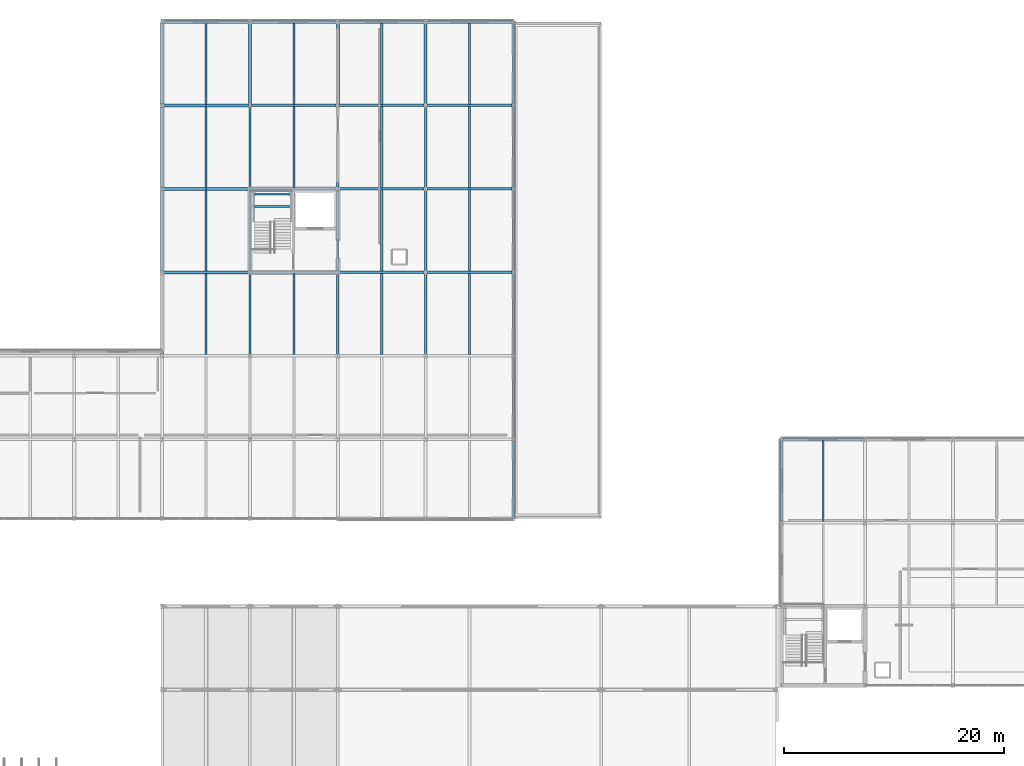
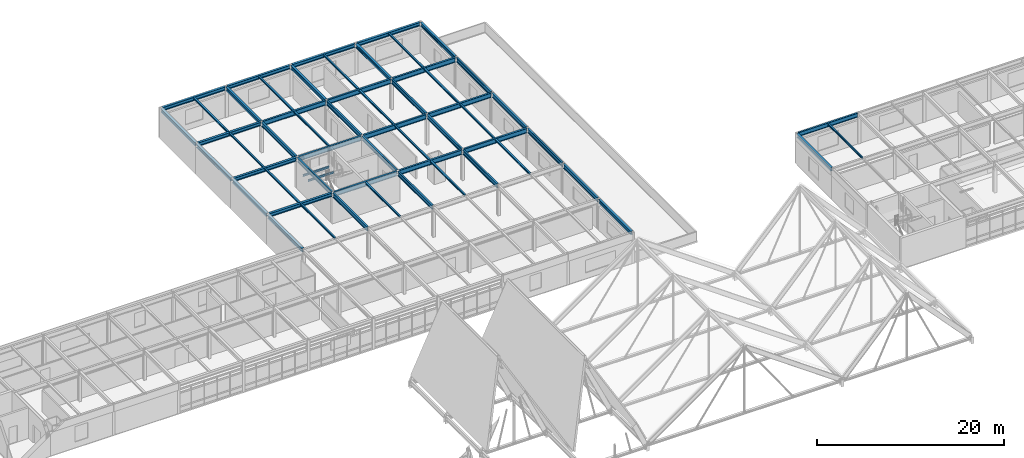
# One storey, part 48 of 85: 58 beams.
"""IFC4 building model written with IfcOpenShell, lengths in metres."""

from ifc_helpers import new_model, si_unit, direction, frame, origin, origin_2d, place, context, subcontext, project, spatial, i_section, extrude, material, material_profile, profile_set, type_object, element, save


model = new_model("IFC4")

# Units and contexts
model_context = context("Model", 3, precision=1e-05, world=origin(), true_north=direction((0.0, 1.0)))
body_context = subcontext(model_context, "Body", "Model", "MODEL_VIEW")
ifc_project = project(units=[si_unit("LENGTHUNIT", "METRE"), si_unit("AREAUNIT", "SQUARE_METRE"), si_unit("VOLUMEUNIT", "CUBIC_METRE"), si_unit("PLANEANGLEUNIT", "RADIAN"), si_unit("MASSUNIT", "GRAM", prefix="KILO")], contexts=[model_context])

# Site, building, storey
site_placement = place(None, origin())
site = spatial("IfcSite", under=ifc_project, at=site_placement, CompositionType="ELEMENT")
building_placement = place(site_placement, origin())
building = spatial("IfcBuilding", under=site, at=building_placement, Name="Zulena Civic Courthouse", CompositionType="ELEMENT")
storey_placement = place(building_placement, frame((0.0, 0.0, 25.199951171875)))
storey = spatial("IfcBuildingStorey", under=building, at=storey_placement, Name="L05", CompositionType="ELEMENT", Elevation=25.199951171875)

# Beams
ifc_material = material(Name="Steel ASTM A992 Grade 50", Category="steel")
ifc_material_profile_1 = material_profile(ifc_material, i_section(OverallWidth=0.214111328125, OverallDepth=0.549072265625, WebThickness=0.0146484375, FlangeThickness=0.023681640625, FilletRadius=0.0126953125, at=origin_2d()), Name="W21X93")
ifc_profile_set_1 = profile_set([ifc_material_profile_1], Name="Steel ASTM A992 Grade 50")
beam_type_1 = type_object("IfcBeamType", Name="Girder_W21X93", PredefinedType="BEAM", material=ifc_profile_set_1)
beam_1_placement = place(storey_placement, frame((76.0, 60.945068359375, 3.720458984375), z_axis=(0.0, 1.0, 0.0), x_axis=(-1.0, 0.0, 0.0)))
element("IfcBeam", 1, at=beam_1_placement, inside=storey, type_object=beam_type_1, Name="beam:Y:V5:L05:76.0:60.8_68.4", PredefinedType="BEAM", context=body_context, shape_type="SweptSolid", body=[
    extrude(i_section(OverallWidth=0.214111328125, OverallDepth=0.549072265625, WebThickness=0.0146484375, FlangeThickness=0.023681640625, FilletRadius=0.0126953125, at=origin_2d()), origin(), (0.0, 0.0, 1.0), 7.309814453125),
])
for number, where, z_axis, x_axis, name in (
    (2, (76.0, 68.544921875, 3.720458984375), (0.0, 1.0, 0.0), (-1.0, 0.0, 0.0), "beam:Y:V5:L05:76.0:68.4_76.0"),
    (3, (76.0, 76.14501953125, 3.720458984375), (0.0, 1.0, 0.0), (-1.0, 0.0, 0.0), "beam:Y:V5:L05:76.0:76.0_83.6"),
):
    element("IfcBeam", number, at=place(storey_placement, frame(where, z_axis=z_axis, x_axis=x_axis)), inside=storey, type_object=beam_type_1, Name=name, PredefinedType="BEAM", context=body_context, shape_type="SweptSolid", body=[
        extrude(i_section(OverallWidth=0.214111328125, OverallDepth=0.549072265625, WebThickness=0.0146484375, FlangeThickness=0.023681640625, FilletRadius=0.0126953125, at=origin_2d()), origin(), (0.0, 0.0, 1.0), 7.31005859375),
    ])
beam_2_placement = place(storey_placement, frame((84.0, 60.945068359375, 3.720458984375), z_axis=(0.0, 1.0, 0.0), x_axis=(-1.0, 0.0, 0.0)))
element("IfcBeam", 4, at=beam_2_placement, inside=storey, type_object=beam_type_1, Name="beam:Y:V5:L05:84.0:60.8_68.4", PredefinedType="BEAM", context=body_context, shape_type="SweptSolid", body=[
    extrude(i_section(OverallWidth=0.214111328125, OverallDepth=0.549072265625, WebThickness=0.0146484375, FlangeThickness=0.023681640625, FilletRadius=0.0126953125, at=origin_2d()), origin(), (0.0, 0.0, 1.0), 7.309814453125),
])
for number, where, z_axis, x_axis, name in (
    (5, (84.0, 68.544921875, 3.720458984375), (0.0, 1.0, 0.0), (-1.0, 0.0, 0.0), "beam:Y:V5:L05:84.0:68.4_76.0"),
    (6, (84.0, 76.14501953125, 3.720458984375), (0.0, 1.0, 0.0), (-1.0, 0.0, 0.0), "beam:Y:V5:L05:84.0:76.0_83.6"),
):
    element("IfcBeam", number, at=place(storey_placement, frame(where, z_axis=z_axis, x_axis=x_axis)), inside=storey, type_object=beam_type_1, Name=name, PredefinedType="BEAM", context=body_context, shape_type="SweptSolid", body=[
        extrude(i_section(OverallWidth=0.214111328125, OverallDepth=0.549072265625, WebThickness=0.0146484375, FlangeThickness=0.023681640625, FilletRadius=0.0126953125, at=origin_2d()), origin(), (0.0, 0.0, 1.0), 7.31005859375),
    ])
beam_3_placement = place(storey_placement, frame((92.0, 60.945068359375, 3.720458984375), z_axis=(0.0, 1.0, 0.0), x_axis=(-1.0, 0.0, 0.0)))
element("IfcBeam", 7, at=beam_3_placement, inside=storey, type_object=beam_type_1, Name="beam:Y:V5:L05:92.0:60.8_68.4", PredefinedType="BEAM", context=body_context, shape_type="SweptSolid", body=[
    extrude(i_section(OverallWidth=0.214111328125, OverallDepth=0.549072265625, WebThickness=0.0146484375, FlangeThickness=0.023681640625, FilletRadius=0.0126953125, at=origin_2d()), origin(), (0.0, 0.0, 1.0), 7.309814453125),
])
for number, where, z_axis, x_axis, name in (
    (8, (92.0, 68.544921875, 3.720458984375), (0.0, 1.0, 0.0), (-1.0, 0.0, 0.0), "beam:Y:V5:L05:92.0:68.4_76.0"),
    (9, (92.0, 76.14501953125, 3.720458984375), (0.0, 1.0, 0.0), (-1.0, 0.0, 0.0), "beam:Y:V5:L05:92.0:76.0_83.6"),
    (10, (100.0, 53.344970703125, 3.720458984375), (0.0, 1.0, 0.0), (-1.0, 0.0, 0.0), "beam:Y:V5:L05:100.0:53.2_60.8"),
):
    element("IfcBeam", number, at=place(storey_placement, frame(where, z_axis=z_axis, x_axis=x_axis)), inside=storey, type_object=beam_type_1, Name=name, PredefinedType="BEAM", context=body_context, shape_type="SweptSolid", body=[
        extrude(i_section(OverallWidth=0.214111328125, OverallDepth=0.549072265625, WebThickness=0.0146484375, FlangeThickness=0.023681640625, FilletRadius=0.0126953125, at=origin_2d()), origin(), (0.0, 0.0, 1.0), 7.31005859375),
    ])
beam_4_placement = place(storey_placement, frame((100.0, 60.945068359375, 3.720458984375), z_axis=(0.0, 1.0, 0.0), x_axis=(-1.0, 0.0, 0.0)))
element("IfcBeam", 11, at=beam_4_placement, inside=storey, type_object=beam_type_1, Name="beam:Y:V5:L05:100.0:60.8_68.4", PredefinedType="BEAM", context=body_context, shape_type="SweptSolid", body=[
    extrude(i_section(OverallWidth=0.214111328125, OverallDepth=0.549072265625, WebThickness=0.0146484375, FlangeThickness=0.023681640625, FilletRadius=0.0126953125, at=origin_2d()), origin(), (0.0, 0.0, 1.0), 7.309814453125),
])
for number, where, z_axis, x_axis, name in (
    (12, (100.0, 68.544921875, 3.720458984375), (0.0, 1.0, 0.0), (-1.0, 0.0, 0.0), "beam:Y:V5:L05:100.0:68.4_76.0"),
    (13, (100.0, 76.14501953125, 3.720458984375), (0.0, 1.0, 0.0), (-1.0, 0.0, 0.0), "beam:Y:V5:L05:100.0:76.0_83.6"),
):
    element("IfcBeam", number, at=place(storey_placement, frame(where, z_axis=z_axis, x_axis=x_axis)), inside=storey, type_object=beam_type_1, Name=name, PredefinedType="BEAM", context=body_context, shape_type="SweptSolid", body=[
        extrude(i_section(OverallWidth=0.214111328125, OverallDepth=0.549072265625, WebThickness=0.0146484375, FlangeThickness=0.023681640625, FilletRadius=0.0126953125, at=origin_2d()), origin(), (0.0, 0.0, 1.0), 7.31005859375),
    ])
ifc_material_profile_2 = material_profile(ifc_material, i_section(OverallWidth=0.22802734375, OverallDepth=0.60693359375, WebThickness=0.01123046875, FlangeThickness=0.017333984375, FilletRadius=0.0126953125, at=origin_2d()), Name="W24X76")
ifc_profile_set_2 = profile_set([ifc_material_profile_2], Name="Steel ASTM A992 Grade 50")
beam_type_2 = type_object("IfcBeamType", Name="Girder_W24X76", PredefinedType="BEAM", material=ifc_profile_set_2)
for number, where, z_axis, x_axis, name in (
    (14, (76.14501953125, 68.39990234375, 3.691650390625), (1.0, 0.0, 0.0), (0.0, 1.0, 0.0), "beam:X:V5:L05:68.4:76.0_84.0"),
    (15, (84.14501953125, 68.39990234375, 3.691650390625), (1.0, 0.0, 0.0), (0.0, 1.0, 0.0), "beam:X:V5:L05:68.4:84.0_92.0"),
    (16, (92.14501953125, 68.39990234375, 3.691650390625), (1.0, 0.0, 0.0), (0.0, 1.0, 0.0), "beam:X:V5:L05:68.4:92.0_100.0"),
    (17, (76.14501953125, 76.0, 3.691650390625), (1.0, 0.0, 0.0), (0.0, 1.0, 0.0), "beam:X:V5:L05:76.0:76.0_84.0"),
    (18, (84.14501953125, 76.0, 3.691650390625), (1.0, 0.0, 0.0), (0.0, 1.0, 0.0), "beam:X:V5:L05:76.0:84.0_92.0"),
    (19, (92.14501953125, 76.0, 3.691650390625), (1.0, 0.0, 0.0), (0.0, 1.0, 0.0), "beam:X:V5:L05:76.0:92.0_100.0"),
    (20, (76.14501953125, 83.60009765625, 3.691650390625), (1.0, 0.0, 0.0), (0.0, 1.0, 0.0), "beam:X:V5:L05:83.6:76.0_84.0"),
    (21, (84.14501953125, 83.60009765625, 3.691650390625), (1.0, 0.0, 0.0), (0.0, 1.0, 0.0), "beam:X:V5:L05:83.6:84.0_92.0"),
    (22, (92.14501953125, 83.60009765625, 3.691650390625), (1.0, 0.0, 0.0), (0.0, 1.0, 0.0), "beam:X:V5:L05:83.6:92.0_100.0"),
):
    element("IfcBeam", number, at=place(storey_placement, frame(where, z_axis=z_axis, x_axis=x_axis)), inside=storey, type_object=beam_type_2, Name=name, PredefinedType="BEAM", context=body_context, shape_type="SweptSolid", body=[
        extrude(i_section(OverallWidth=0.22802734375, OverallDepth=0.60693359375, WebThickness=0.01123046875, FlangeThickness=0.017333984375, FilletRadius=0.0126953125, at=origin_2d()), origin(), (0.0, 0.0, 1.0), 7.7099609375),
    ])
ifc_material_profile_3 = material_profile(ifc_material, i_section(OverallWidth=0.14599609375, OverallDepth=0.258056640625, WebThickness=0.006103515625, FlangeThickness=0.009033203125, FilletRadius=0.007568359375, at=origin_2d()), Name="W10X22")
ifc_profile_set_3 = profile_set([ifc_material_profile_3], Name="Steel ASTM A992 Grade 50")
beam_type_3 = type_object("IfcBeamType", Name="Joist_W10X22", PredefinedType="JOIST", material=ifc_profile_set_3)
beam_5_placement = place(storey_placement, frame((128.199951171875, 45.705078125, 3.861083984375), z_axis=(0.0, 1.0, 0.0), x_axis=(-1.0, 0.0, 0.0)))
element("IfcBeam", 23, at=beam_5_placement, inside=storey, type_object=beam_type_3, Name="joist:V3:L05:128.20:45.6_53.2", PredefinedType="JOIST", context=body_context, shape_type="SweptSolid", body=[
    extrude(i_section(OverallWidth=0.14599609375, OverallDepth=0.258056640625, WebThickness=0.006103515625, FlangeThickness=0.009033203125, FilletRadius=0.007568359375, at=origin_2d()), origin(), (0.0, 0.0, 1.0), 7.389892578125),
])
for number, where, z_axis, x_axis, name in (
    (24, (76.419921875, 74.39990234375, 1.691162109375), (1.0, 0.0, 0.0), (0.0, 1.0, 0.0), "beam:lnd:K5B:L05:0"),
    (25, (76.419921875, 75.5, 1.691162109375), (1.0, 0.0, 0.0), (0.0, 1.0, 0.0), "beam:lnd:K5B:L05:1"),
):
    element("IfcBeam", number, at=place(storey_placement, frame(where, z_axis=z_axis, x_axis=x_axis)), inside=storey, type_object=beam_type_3, Name=name, PredefinedType="JOIST", context=body_context, shape_type="SweptSolid", body=[
        extrude(i_section(OverallWidth=0.14599609375, OverallDepth=0.258056640625, WebThickness=0.006103515625, FlangeThickness=0.009033203125, FilletRadius=0.007568359375, at=origin_2d()), origin(), (0.0, 0.0, 1.0), 3.2001953125),
    ])
ifc_material_profile_4 = material_profile(ifc_material, i_section(OverallWidth=0.202880859375, OverallDepth=0.202880859375, WebThickness=0.007080078125, FlangeThickness=0.010986328125, FilletRadius=0.007568359375, at=origin_2d()), Name="W8X31")
ifc_profile_set_4 = profile_set([ifc_material_profile_4], Name="Steel ASTM A992 Grade 50")
beam_type_4 = type_object("IfcBeamType", Name="Joist_W8X31", PredefinedType="JOIST", material=ifc_profile_set_4)
beam_6_placement = place(storey_placement, frame((72.0, 60.905029296875, 3.8935546875), z_axis=(0.0, 1.0, 0.0), x_axis=(-1.0, 0.0, 0.0)))
element("IfcBeam", 26, at=beam_6_placement, inside=storey, type_object=beam_type_4, Name="joist:V5:L05:72.00:60.8_68.4", PredefinedType="JOIST", context=body_context, shape_type="SweptSolid", body=[
    extrude(i_section(OverallWidth=0.202880859375, OverallDepth=0.202880859375, WebThickness=0.007080078125, FlangeThickness=0.010986328125, FilletRadius=0.007568359375, at=origin_2d()), origin(), (0.0, 0.0, 1.0), 7.389892578125),
])
for number, where, z_axis, x_axis, name in (
    (27, (72.0, 68.5048828125, 3.8935546875), (0.0, 1.0, 0.0), (-1.0, 0.0, 0.0), "joist:V5:L05:72.00:68.4_76.0"),
    (28, (72.0, 76.10498046875, 3.8935546875), (0.0, 1.0, 0.0), (-1.0, 0.0, 0.0), "joist:V5:L05:72.00:76.0_83.6"),
):
    element("IfcBeam", number, at=place(storey_placement, frame(where, z_axis=z_axis, x_axis=x_axis)), inside=storey, type_object=beam_type_4, Name=name, PredefinedType="JOIST", context=body_context, shape_type="SweptSolid", body=[
        extrude(i_section(OverallWidth=0.202880859375, OverallDepth=0.202880859375, WebThickness=0.007080078125, FlangeThickness=0.010986328125, FilletRadius=0.007568359375, at=origin_2d()), origin(), (0.0, 0.0, 1.0), 7.39013671875),
    ])
for number, where, z_axis, x_axis, name in (
    (29, (72.0, 83.705078125, 3.8935546875), (0.0, 1.0, 0.0), (-1.0, 0.0, 0.0), "joist:V5:L05:72.00:83.6_91.2"),
    (30, (80.0, 60.905029296875, 3.8935546875), (0.0, 1.0, 0.0), (-1.0, 0.0, 0.0), "joist:V5:L05:80.00:60.8_68.4"),
):
    element("IfcBeam", number, at=place(storey_placement, frame(where, z_axis=z_axis, x_axis=x_axis)), inside=storey, type_object=beam_type_4, Name=name, PredefinedType="JOIST", context=body_context, shape_type="SweptSolid", body=[
        extrude(i_section(OverallWidth=0.202880859375, OverallDepth=0.202880859375, WebThickness=0.007080078125, FlangeThickness=0.010986328125, FilletRadius=0.007568359375, at=origin_2d()), origin(), (0.0, 0.0, 1.0), 7.389892578125),
    ])
beam_7_placement = place(storey_placement, frame((80.0, 76.10498046875, 3.8935546875), z_axis=(0.0, 1.0, 0.0), x_axis=(-1.0, 0.0, 0.0)))
element("IfcBeam", 31, at=beam_7_placement, inside=storey, type_object=beam_type_4, Name="joist:V5:L05:80.00:76.0_83.6", PredefinedType="JOIST", context=body_context, shape_type="SweptSolid", body=[
    extrude(i_section(OverallWidth=0.202880859375, OverallDepth=0.202880859375, WebThickness=0.007080078125, FlangeThickness=0.010986328125, FilletRadius=0.007568359375, at=origin_2d()), origin(), (0.0, 0.0, 1.0), 7.39013671875),
])
for number, where, z_axis, x_axis, name in (
    (32, (80.0, 83.705078125, 3.8935546875), (0.0, 1.0, 0.0), (-1.0, 0.0, 0.0), "joist:V5:L05:80.00:83.6_91.2"),
    (33, (88.0, 60.905029296875, 3.8935546875), (0.0, 1.0, 0.0), (-1.0, 0.0, 0.0), "joist:V5:L05:88.00:60.8_68.4"),
):
    element("IfcBeam", number, at=place(storey_placement, frame(where, z_axis=z_axis, x_axis=x_axis)), inside=storey, type_object=beam_type_4, Name=name, PredefinedType="JOIST", context=body_context, shape_type="SweptSolid", body=[
        extrude(i_section(OverallWidth=0.202880859375, OverallDepth=0.202880859375, WebThickness=0.007080078125, FlangeThickness=0.010986328125, FilletRadius=0.007568359375, at=origin_2d()), origin(), (0.0, 0.0, 1.0), 7.389892578125),
    ])
for number, where, z_axis, x_axis, name in (
    (34, (88.0, 68.5048828125, 3.8935546875), (0.0, 1.0, 0.0), (-1.0, 0.0, 0.0), "joist:V5:L05:88.00:68.4_76.0"),
    (35, (88.0, 76.10498046875, 3.8935546875), (0.0, 1.0, 0.0), (-1.0, 0.0, 0.0), "joist:V5:L05:88.00:76.0_83.6"),
):
    element("IfcBeam", number, at=place(storey_placement, frame(where, z_axis=z_axis, x_axis=x_axis)), inside=storey, type_object=beam_type_4, Name=name, PredefinedType="JOIST", context=body_context, shape_type="SweptSolid", body=[
        extrude(i_section(OverallWidth=0.202880859375, OverallDepth=0.202880859375, WebThickness=0.007080078125, FlangeThickness=0.010986328125, FilletRadius=0.007568359375, at=origin_2d()), origin(), (0.0, 0.0, 1.0), 7.39013671875),
    ])
for number, where, z_axis, x_axis, name in (
    (36, (88.0, 83.705078125, 3.8935546875), (0.0, 1.0, 0.0), (-1.0, 0.0, 0.0), "joist:V5:L05:88.00:83.6_91.2"),
    (37, (96.0, 60.905029296875, 3.8935546875), (0.0, 1.0, 0.0), (-1.0, 0.0, 0.0), "joist:V5:L05:96.00:60.8_68.4"),
):
    element("IfcBeam", number, at=place(storey_placement, frame(where, z_axis=z_axis, x_axis=x_axis)), inside=storey, type_object=beam_type_4, Name=name, PredefinedType="JOIST", context=body_context, shape_type="SweptSolid", body=[
        extrude(i_section(OverallWidth=0.202880859375, OverallDepth=0.202880859375, WebThickness=0.007080078125, FlangeThickness=0.010986328125, FilletRadius=0.007568359375, at=origin_2d()), origin(), (0.0, 0.0, 1.0), 7.389892578125),
    ])
for number, where, z_axis, x_axis, name in (
    (38, (96.0, 68.5048828125, 3.8935546875), (0.0, 1.0, 0.0), (-1.0, 0.0, 0.0), "joist:V5:L05:96.00:68.4_76.0"),
    (39, (96.0, 76.10498046875, 3.8935546875), (0.0, 1.0, 0.0), (-1.0, 0.0, 0.0), "joist:V5:L05:96.00:76.0_83.6"),
):
    element("IfcBeam", number, at=place(storey_placement, frame(where, z_axis=z_axis, x_axis=x_axis)), inside=storey, type_object=beam_type_4, Name=name, PredefinedType="JOIST", context=body_context, shape_type="SweptSolid", body=[
        extrude(i_section(OverallWidth=0.202880859375, OverallDepth=0.202880859375, WebThickness=0.007080078125, FlangeThickness=0.010986328125, FilletRadius=0.007568359375, at=origin_2d()), origin(), (0.0, 0.0, 1.0), 7.39013671875),
    ])
beam_8_placement = place(storey_placement, frame((96.0, 83.705078125, 3.8935546875), z_axis=(0.0, 1.0, 0.0), x_axis=(-1.0, 0.0, 0.0)))
element("IfcBeam", 40, at=beam_8_placement, inside=storey, type_object=beam_type_4, Name="joist:V5:L05:96.00:83.6_91.2", PredefinedType="JOIST", context=body_context, shape_type="SweptSolid", body=[
    extrude(i_section(OverallWidth=0.202880859375, OverallDepth=0.202880859375, WebThickness=0.007080078125, FlangeThickness=0.010986328125, FilletRadius=0.007568359375, at=origin_2d()), origin(), (0.0, 0.0, 1.0), 7.389892578125),
])
ifc_material_profile_5 = material_profile(ifc_material, i_section(OverallWidth=0.280029296875, OverallDepth=0.462890625, WebThickness=0.0107421875, FlangeThickness=0.017333984375, FilletRadius=0.01025390625, at=origin_2d()), Name="W18X76")
ifc_profile_set_5 = profile_set([ifc_material_profile_5], Name="Steel ASTM A992 Grade 50")
beam_type_5 = type_object("IfcBeamType", Name="Spandrel_W18X76", PredefinedType="SPANDREL", material=ifc_profile_set_5)
beam_9_placement = place(storey_placement, frame((124.39990234375, 45.7451171875, 3.758544921875), z_axis=(0.0, 1.0, 0.0), x_axis=(-1.0, 0.0, 0.0)))
element("IfcBeam", 41, at=beam_9_placement, inside=storey, type_object=beam_type_5, Name="beam:Y:V3:L05:124.4:45.6_53.2", PredefinedType="SPANDREL", context=body_context, shape_type="SweptSolid", body=[
    extrude(i_section(OverallWidth=0.280029296875, OverallDepth=0.462890625, WebThickness=0.0107421875, FlangeThickness=0.017333984375, FilletRadius=0.01025390625, at=origin_2d()), origin(), (0.0, 0.0, 1.0), 7.309814453125),
])
for number, where, z_axis, x_axis, name in (
    (42, (68.14501953125, 68.39990234375, 3.763427734375), (1.0, 0.0, 0.0), (0.0, 1.0, 0.0), "beam:X:V5:L05:68.4:68.0_76.0"),
    (43, (68.14501953125, 76.0, 3.763427734375), (1.0, 0.0, 0.0), (0.0, 1.0, 0.0), "beam:X:V5:L05:76.0:68.0_76.0"),
    (44, (68.14501953125, 83.60009765625, 3.763427734375), (1.0, 0.0, 0.0), (0.0, 1.0, 0.0), "beam:X:V5:L05:83.6:68.0_76.0"),
    (45, (68.14501953125, 91.199951171875, 3.763427734375), (1.0, 0.0, 0.0), (0.0, 1.0, 0.0), "beam:X:V5:L05:91.2:68.0_76.0"),
    (46, (76.14501953125, 91.199951171875, 3.763427734375), (1.0, 0.0, 0.0), (0.0, 1.0, 0.0), "beam:X:V5:L05:91.2:76.0_84.0"),
    (47, (84.14501953125, 91.199951171875, 3.763427734375), (1.0, 0.0, 0.0), (0.0, 1.0, 0.0), "beam:X:V5:L05:91.2:84.0_92.0"),
    (48, (92.14501953125, 91.199951171875, 3.763427734375), (1.0, 0.0, 0.0), (0.0, 1.0, 0.0), "beam:X:V5:L05:91.2:92.0_100.0"),
):
    element("IfcBeam", number, at=place(storey_placement, frame(where, z_axis=z_axis, x_axis=x_axis)), inside=storey, type_object=beam_type_5, Name=name, PredefinedType="SPANDREL", context=body_context, shape_type="SweptSolid", body=[
        extrude(i_section(OverallWidth=0.280029296875, OverallDepth=0.462890625, WebThickness=0.0107421875, FlangeThickness=0.017333984375, FilletRadius=0.01025390625, at=origin_2d()), origin(), (0.0, 0.0, 1.0), 7.7099609375),
    ])
beam_10_placement = place(storey_placement, frame((68.0, 60.945068359375, 3.763427734375), z_axis=(0.0, 1.0, 0.0), x_axis=(-1.0, 0.0, 0.0)))
element("IfcBeam", 49, at=beam_10_placement, inside=storey, type_object=beam_type_5, Name="beam:Y:V5:L05:68.0:60.8_68.4", PredefinedType="SPANDREL", context=body_context, shape_type="SweptSolid", body=[
    extrude(i_section(OverallWidth=0.280029296875, OverallDepth=0.462890625, WebThickness=0.0107421875, FlangeThickness=0.017333984375, FilletRadius=0.01025390625, at=origin_2d()), origin(), (0.0, 0.0, 1.0), 7.309814453125),
])
for number, where, z_axis, x_axis, name in (
    (50, (68.0, 68.544921875, 3.763427734375), (0.0, 1.0, 0.0), (-1.0, 0.0, 0.0), "beam:Y:V5:L05:68.0:68.4_76.0"),
    (51, (68.0, 76.14501953125, 3.763427734375), (0.0, 1.0, 0.0), (-1.0, 0.0, 0.0), "beam:Y:V5:L05:68.0:76.0_83.6"),
):
    element("IfcBeam", number, at=place(storey_placement, frame(where, z_axis=z_axis, x_axis=x_axis)), inside=storey, type_object=beam_type_5, Name=name, PredefinedType="SPANDREL", context=body_context, shape_type="SweptSolid", body=[
        extrude(i_section(OverallWidth=0.280029296875, OverallDepth=0.462890625, WebThickness=0.0107421875, FlangeThickness=0.017333984375, FilletRadius=0.01025390625, at=origin_2d()), origin(), (0.0, 0.0, 1.0), 7.31005859375),
    ])
for number, where, z_axis, x_axis, name in (
    (52, (68.0, 83.7451171875, 3.763427734375), (0.0, 1.0, 0.0), (-1.0, 0.0, 0.0), "beam:Y:V5:L05:68.0:83.6_91.2"),
    (53, (76.0, 83.7451171875, 3.763427734375), (0.0, 1.0, 0.0), (-1.0, 0.0, 0.0), "beam:Y:V5:L05:76.0:83.6_91.2"),
    (54, (84.0, 83.7451171875, 3.763427734375), (0.0, 1.0, 0.0), (-1.0, 0.0, 0.0), "beam:Y:V5:L05:84.0:83.6_91.2"),
    (55, (92.0, 83.7451171875, 3.763427734375), (0.0, 1.0, 0.0), (-1.0, 0.0, 0.0), "beam:Y:V5:L05:92.0:83.6_91.2"),
):
    element("IfcBeam", number, at=place(storey_placement, frame(where, z_axis=z_axis, x_axis=x_axis)), inside=storey, type_object=beam_type_5, Name=name, PredefinedType="SPANDREL", context=body_context, shape_type="SweptSolid", body=[
        extrude(i_section(OverallWidth=0.280029296875, OverallDepth=0.462890625, WebThickness=0.0107421875, FlangeThickness=0.017333984375, FilletRadius=0.01025390625, at=origin_2d()), origin(), (0.0, 0.0, 1.0), 7.309814453125),
    ])
beam_11_placement = place(storey_placement, frame((100.0, 46.14501953125, 3.763427734375), z_axis=(0.0, 1.0, 0.0), x_axis=(-1.0, 0.0, 0.0)))
element("IfcBeam", 56, at=beam_11_placement, inside=storey, type_object=beam_type_5, Name="beam:Y:V5:L05:100.0:46.0_53.2", PredefinedType="SPANDREL", context=body_context, shape_type="SweptSolid", body=[
    extrude(i_section(OverallWidth=0.280029296875, OverallDepth=0.462890625, WebThickness=0.0107421875, FlangeThickness=0.017333984375, FilletRadius=0.01025390625, at=origin_2d()), origin(), (0.0, 0.0, 1.0), 6.909912109375),
])
beam_12_placement = place(storey_placement, frame((100.0, 83.7451171875, 3.763427734375), z_axis=(0.0, 1.0, 0.0), x_axis=(-1.0, 0.0, 0.0)))
element("IfcBeam", 57, at=beam_12_placement, inside=storey, type_object=beam_type_5, Name="beam:Y:V5:L05:100.0:83.6_91.2", PredefinedType="SPANDREL", context=body_context, shape_type="SweptSolid", body=[
    extrude(i_section(OverallWidth=0.280029296875, OverallDepth=0.462890625, WebThickness=0.0107421875, FlangeThickness=0.017333984375, FilletRadius=0.01025390625, at=origin_2d()), origin(), (0.0, 0.0, 1.0), 7.309814453125),
])
ifc_material_profile_6 = material_profile(ifc_material, i_section(OverallWidth=0.2099609375, OverallDepth=0.537109375, WebThickness=0.010986328125, FlangeThickness=0.017333984375, FilletRadius=0.0126953125, at=origin_2d()), Name="W21X68")
ifc_profile_set_6 = profile_set([ifc_material_profile_6], Name="Steel ASTM A992 Grade 50")
beam_type_6 = type_object("IfcBeamType", Name="Spandrel_W21X68", PredefinedType="SPANDREL", material=ifc_profile_set_6)
beam_13_placement = place(storey_placement, frame((124.544921875, 53.199951171875, 3.721435546875), z_axis=(1.0, 0.0, 0.0), x_axis=(0.0, 1.0, 0.0)))
element("IfcBeam", 58, at=beam_13_placement, inside=storey, type_object=beam_type_6, Name="beam:X:V3:L05:53.2:124.4_132.0", PredefinedType="SPANDREL", context=body_context, shape_type="SweptSolid", body=[
    extrude(i_section(OverallWidth=0.2099609375, OverallDepth=0.537109375, WebThickness=0.010986328125, FlangeThickness=0.017333984375, FilletRadius=0.0126953125, at=origin_2d()), origin(), (0.0, 0.0, 1.0), 7.31005859375),
])

save(model, "model.ifc")
